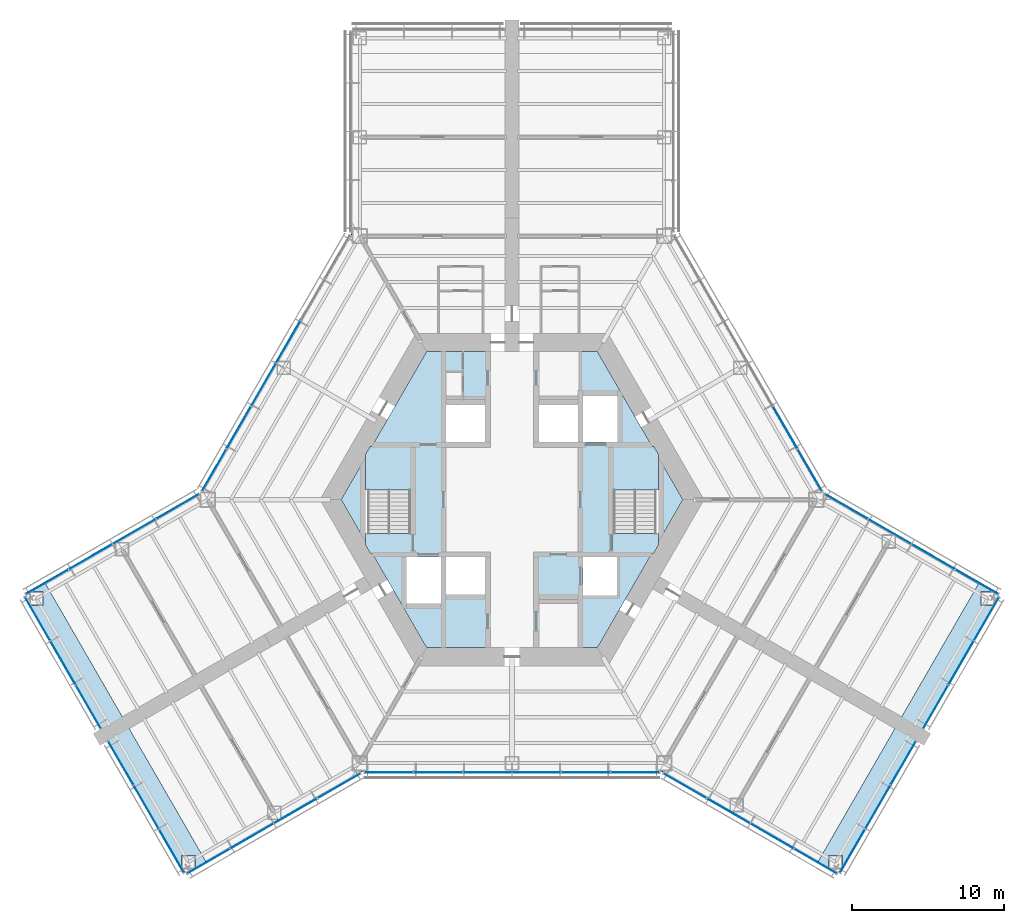
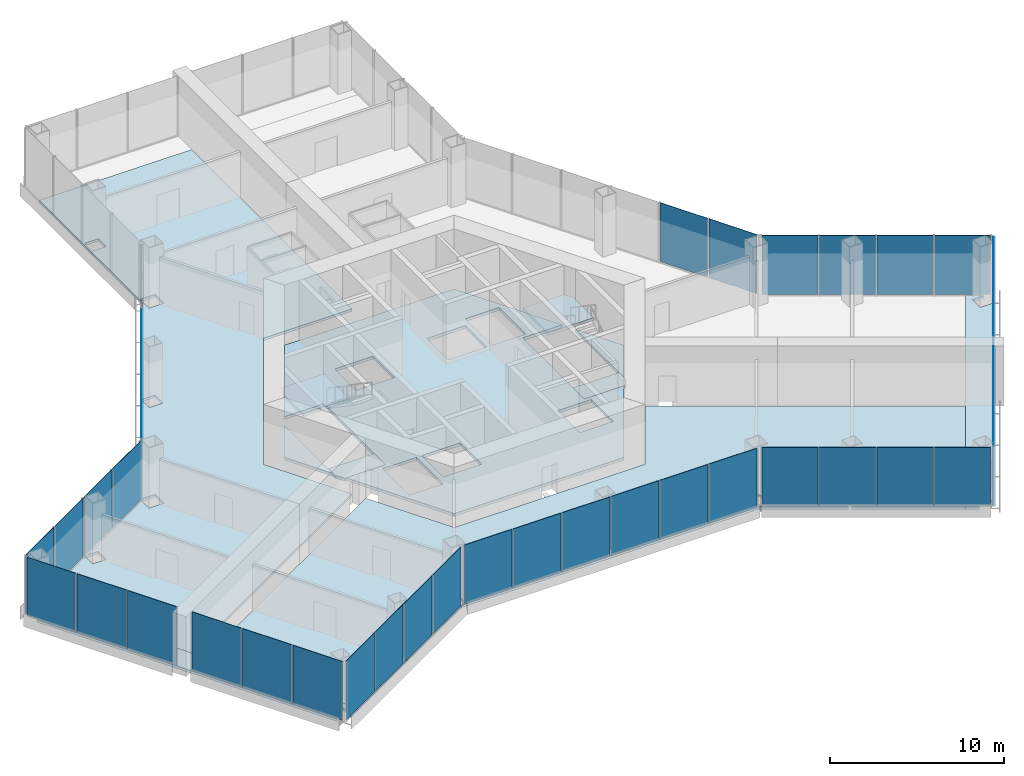
# One storey, part 9 of 15: 40 plates, 11 slabs, 13 elements without a shape of their own.
"""IFC4 building model written with IfcOpenShell, lengths in metres."""

from ifc_helpers import new_model, si_unit, direction, frame, origin, origin_2d, place, context, subcontext, project, spatial, polyline, rectangle, outline, extrude, material, layer, layer_set, type_object, element, aggregate, save


model = new_model("IFC4")

# Units and contexts
model_context = context("Model", 3, precision=1e-05, world=origin(), true_north=direction((0.0, 1.0)))
body_context = subcontext(model_context, "Body", "Model", "MODEL_VIEW")
ifc_project = project(units=[si_unit("LENGTHUNIT", "METRE"), si_unit("AREAUNIT", "SQUARE_METRE"), si_unit("VOLUMEUNIT", "CUBIC_METRE"), si_unit("PLANEANGLEUNIT", "RADIAN"), si_unit("MASSUNIT", "GRAM", prefix="KILO")], contexts=[model_context])

# Site, building, storey
site_placement = place(None, origin())
site = spatial("IfcSite", under=ifc_project, at=site_placement, CompositionType="ELEMENT")
building_placement = place(site_placement, origin())
building = spatial("IfcBuilding", under=site, at=building_placement, Name="Kasaneha Research Tower", CompositionType="ELEMENT")
storey_placement = place(building_placement, frame((0.0, 0.0, 31.0)))
storey = spatial("IfcBuildingStorey", under=building, at=storey_placement, Name="L08", CompositionType="ELEMENT", Elevation=31.0)

# Curtain wall, plates
ifc_material_1 = material(Name="Glass and aluminium", Category="aluminium")
curtain_wall_type = type_object("IfcCurtainWallType", Name="Dry laboratory curtain wall", PredefinedType="USERDEFINED", material=ifc_material_1)
curtain_wall_1_placement = place(storey_placement, origin())
curtain_wall_1 = element("IfcCurtainWall", 1, at=curtain_wall_1_placement, inside=storey, type_object=curtain_wall_type, Name="CW-L2 L08 run 01a", ObjectType="UNITISED CURTAIN WALL", PredefinedType="USERDEFINED")
ifc_material_2 = material(Name="Laminated double glazing", Category="glass")
ifc_layer_1 = layer(ifc_material_2, 0.028076171875)
ifc_layer_set_1 = layer_set([ifc_layer_1], Name="CW-L2 glazed panel")
plate_type = type_object("IfcPlateType", Name="CW-L2 glazed panel", PredefinedType="CURTAIN_PANEL", material=ifc_layer_set_1)
plate_1_placement = place(storey_placement, frame((-19.944091796875, -23.754638671875, 0.06494140625), z_axis=(0.0, 0.0, 1.0), x_axis=(0.866025411464, 0.499999986699, 0.0)))
plate_1 = element("IfcPlate", 2, at=plate_1_placement, type_object=plate_type, Name="CW-L2 panel 1", PredefinedType="CURTAIN_PANEL", context=body_context, shape_type="SweptSolid", body=[
    extrude(rectangle(XDim=3.21240234375, YDim=0.028076171875, at=origin_2d()), origin(), (0.0, 0.0, 1.0), 4.135009765625),
])
plate_2_placement = place(storey_placement, frame((-17.091796875, -22.107666015625, 0.06494140625), z_axis=(0.0, 0.0, 1.0), x_axis=(0.866025411464, 0.499999986699, 0.0)))
plate_2 = element("IfcPlate", 3, at=plate_2_placement, type_object=plate_type, Name="CW-L2 panel 2", PredefinedType="CURTAIN_PANEL", context=body_context, shape_type="SweptSolid", body=[
    extrude(rectangle(XDim=3.244873046875, YDim=0.028076171875, at=origin_2d()), origin(), (0.0, 0.0, 1.0), 4.135009765625),
])
plate_3_placement = place(storey_placement, frame((-14.225341796875, -20.452880859375, 0.06494140625), z_axis=(0.0, 0.0, 1.0), x_axis=(0.866025411464, 0.499999986699, 0.0)))
plate_3 = element("IfcPlate", 4, at=plate_3_placement, type_object=plate_type, Name="CW-L2 panel 3", PredefinedType="CURTAIN_PANEL", context=body_context, shape_type="SweptSolid", body=[
    extrude(rectangle(XDim=3.244873046875, YDim=0.028076171875, at=origin_2d()), origin(), (0.0, 0.0, 1.0), 4.135009765625),
])
plate_4_placement = place(storey_placement, frame((-11.373046875, -18.80615234375, 0.06494140625), z_axis=(0.0, 0.0, 1.0), x_axis=(0.866025411464, 0.499999986699, 0.0)))
plate_4 = element("IfcPlate", 5, at=plate_4_placement, type_object=plate_type, Name="CW-L2 panel 4", PredefinedType="CURTAIN_PANEL", context=body_context, shape_type="SweptSolid", body=[
    extrude(rectangle(XDim=3.21240234375, YDim=0.028076171875, at=origin_2d()), origin(), (0.0, 0.0, 1.0), 4.135009765625),
])
aggregate(curtain_wall_1, [plate_1, plate_2, plate_3, plate_4])

curtain_wall_2_placement = place(storey_placement, origin())
curtain_wall_2 = element("IfcCurtainWall", 6, at=curtain_wall_2_placement, inside=storey, type_object=curtain_wall_type, Name="CW-L2 L08 run 02a", ObjectType="UNITISED CURTAIN WALL", PredefinedType="USERDEFINED")
plate_5_placement = place(storey_placement, frame((-8.099853515625, -17.92041015625, 0.06494140625), z_axis=(0.0, 0.0, 1.0), x_axis=(1.0, 0.0, 0.0)))
plate_5 = element("IfcPlate", 7, at=plate_5_placement, type_object=plate_type, Name="CW-L2 panel 1", PredefinedType="CURTAIN_PANEL", context=body_context, shape_type="SweptSolid", body=[
    extrude(rectangle(XDim=3.14892578125, YDim=0.028076171875, at=origin_2d()), origin(), (0.0, 0.0, 1.0), 4.135009765625),
])
plate_6_placement = place(storey_placement, frame((-4.86962890625, -17.92041015625, 0.06494140625), z_axis=(0.0, 0.0, 1.0), x_axis=(1.0, 0.0, 0.0)))
plate_6 = element("IfcPlate", 8, at=plate_6_placement, type_object=plate_type, Name="CW-L2 panel 2", PredefinedType="CURTAIN_PANEL", context=body_context, shape_type="SweptSolid", body=[
    extrude(rectangle(XDim=3.181396484375, YDim=0.028076171875, at=origin_2d()), origin(), (0.0, 0.0, 1.0), 4.135009765625),
])
plate_7_placement = place(storey_placement, frame((-1.623291015625, -17.92041015625, 0.06494140625), z_axis=(0.0, 0.0, 1.0), x_axis=(1.0, 0.0, 0.0)))
plate_7 = element("IfcPlate", 9, at=plate_7_placement, type_object=plate_type, Name="CW-L2 panel 3", PredefinedType="CURTAIN_PANEL", context=body_context, shape_type="SweptSolid", body=[
    extrude(rectangle(XDim=3.181396484375, YDim=0.028076171875, at=origin_2d()), origin(), (0.0, 0.0, 1.0), 4.135009765625),
])
plate_8_placement = place(storey_placement, frame((1.623291015625, -17.92041015625, 0.06494140625), z_axis=(0.0, 0.0, 1.0), x_axis=(1.0, 0.0, 0.0)))
plate_8 = element("IfcPlate", 10, at=plate_8_placement, type_object=plate_type, Name="CW-L2 panel 4", PredefinedType="CURTAIN_PANEL", context=body_context, shape_type="SweptSolid", body=[
    extrude(rectangle(XDim=3.181396484375, YDim=0.028076171875, at=origin_2d()), origin(), (0.0, 0.0, 1.0), 4.135009765625),
])
plate_9_placement = place(storey_placement, frame((4.86962890625, -17.92041015625, 0.06494140625), z_axis=(0.0, 0.0, 1.0), x_axis=(1.0, 0.0, 0.0)))
plate_9 = element("IfcPlate", 11, at=plate_9_placement, type_object=plate_type, Name="CW-L2 panel 5", PredefinedType="CURTAIN_PANEL", context=body_context, shape_type="SweptSolid", body=[
    extrude(rectangle(XDim=3.181396484375, YDim=0.028076171875, at=origin_2d()), origin(), (0.0, 0.0, 1.0), 4.135009765625),
])
plate_10_placement = place(storey_placement, frame((8.099853515625, -17.92041015625, 0.06494140625), z_axis=(0.0, 0.0, 1.0), x_axis=(1.0, 0.0, 0.0)))
plate_10 = element("IfcPlate", 12, at=plate_10_placement, type_object=plate_type, Name="CW-L2 panel 6", PredefinedType="CURTAIN_PANEL", context=body_context, shape_type="SweptSolid", body=[
    extrude(rectangle(XDim=3.14892578125, YDim=0.028076171875, at=origin_2d()), origin(), (0.0, 0.0, 1.0), 4.135009765625),
])
aggregate(curtain_wall_2, [plate_5, plate_6, plate_7, plate_8, plate_9, plate_10])

curtain_wall_3_placement = place(storey_placement, origin())
curtain_wall_3 = element("IfcCurtainWall", 13, at=curtain_wall_3_placement, inside=storey, type_object=curtain_wall_type, Name="CW-L2 L08 run 03a", ObjectType="UNITISED CURTAIN WALL", PredefinedType="USERDEFINED")
plate_11_placement = place(storey_placement, frame((11.373046875, -18.80615234375, 0.06494140625), z_axis=(0.0, 0.0, 1.0), x_axis=(0.866025411464, -0.499999986699, 0.0)))
plate_11 = element("IfcPlate", 14, at=plate_11_placement, type_object=plate_type, Name="CW-L2 panel 1", PredefinedType="CURTAIN_PANEL", context=body_context, shape_type="SweptSolid", body=[
    extrude(rectangle(XDim=3.21240234375, YDim=0.028076171875, at=origin_2d()), origin(), (0.0, 0.0, 1.0), 4.135009765625),
])
plate_12_placement = place(storey_placement, frame((14.225341796875, -20.452880859375, 0.06494140625), z_axis=(0.0, 0.0, 1.0), x_axis=(0.866025411464, -0.499999986699, 0.0)))
plate_12 = element("IfcPlate", 15, at=plate_12_placement, type_object=plate_type, Name="CW-L2 panel 2", PredefinedType="CURTAIN_PANEL", context=body_context, shape_type="SweptSolid", body=[
    extrude(rectangle(XDim=3.244873046875, YDim=0.028076171875, at=origin_2d()), origin(), (0.0, 0.0, 1.0), 4.135009765625),
])
plate_13_placement = place(storey_placement, frame((17.091796875, -22.107666015625, 0.06494140625), z_axis=(0.0, 0.0, 1.0), x_axis=(0.866025411464, -0.499999986699, 0.0)))
plate_13 = element("IfcPlate", 16, at=plate_13_placement, type_object=plate_type, Name="CW-L2 panel 3", PredefinedType="CURTAIN_PANEL", context=body_context, shape_type="SweptSolid", body=[
    extrude(rectangle(XDim=3.244873046875, YDim=0.028076171875, at=origin_2d()), origin(), (0.0, 0.0, 1.0), 4.135009765625),
])
plate_14_placement = place(storey_placement, frame((19.944091796875, -23.754638671875, 0.06494140625), z_axis=(0.0, 0.0, 1.0), x_axis=(0.866025411464, -0.499999986699, 0.0)))
plate_14 = element("IfcPlate", 17, at=plate_14_placement, type_object=plate_type, Name="CW-L2 panel 4", PredefinedType="CURTAIN_PANEL", context=body_context, shape_type="SweptSolid", body=[
    extrude(rectangle(XDim=3.21240234375, YDim=0.028076171875, at=origin_2d()), origin(), (0.0, 0.0, 1.0), 4.135009765625),
])
aggregate(curtain_wall_3, [plate_11, plate_12, plate_13, plate_14])

curtain_wall_4_placement = place(storey_placement, origin())
curtain_wall_4 = element("IfcCurtainWall", 18, at=curtain_wall_4_placement, inside=storey, type_object=curtain_wall_type, Name="CW-L2 L08 run 04a", ObjectType="UNITISED CURTAIN WALL", PredefinedType="USERDEFINED")
plate_15_placement = place(storey_placement, frame((22.37353515625, -23.0888671875, 0.06494140625), z_axis=(0.0, 0.0, 1.0), x_axis=(0.500000011442, 0.866025397178, 0.0)))
plate_15 = element("IfcPlate", 19, at=plate_15_placement, type_object=plate_type, Name="CW-L2 panel 1", PredefinedType="CURTAIN_PANEL", context=body_context, shape_type="SweptSolid", body=[
    extrude(rectangle(XDim=3.25244140625, YDim=0.028076171875, at=origin_2d()), origin(), (0.0, 0.0, 1.0), 4.135009765625),
])
plate_16_placement = place(storey_placement, frame((24.04052734375, -20.20166015625, 0.06494140625), z_axis=(0.0, 0.0, 1.0), x_axis=(0.500000011442, 0.866025397178, 0.0)))
plate_16 = element("IfcPlate", 20, at=plate_16_placement, type_object=plate_type, Name="CW-L2 panel 2", PredefinedType="CURTAIN_PANEL", context=body_context, shape_type="SweptSolid", body=[
    extrude(rectangle(XDim=3.284912109375, YDim=0.028076171875, at=origin_2d()), origin(), (0.0, 0.0, 1.0), 4.135009765625),
])
plate_17_placement = place(storey_placement, frame((25.707275390625, -17.314697265625, 0.06494140625), z_axis=(0.0, 0.0, 1.0), x_axis=(0.500000011442, 0.866025397178, 0.0)))
plate_17 = element("IfcPlate", 21, at=plate_17_placement, type_object=plate_type, Name="CW-L2 panel 3", PredefinedType="CURTAIN_PANEL", context=body_context, shape_type="SweptSolid", body=[
    extrude(rectangle(XDim=3.25244140625, YDim=0.028076171875, at=origin_2d()), origin(), (0.0, 0.0, 1.0), 4.135009765625),
])
aggregate(curtain_wall_4, [plate_15, plate_16, plate_17])

curtain_wall_5_placement = place(storey_placement, origin())
curtain_wall_5 = element("IfcCurtainWall", 22, at=curtain_wall_5_placement, inside=storey, type_object=curtain_wall_type, Name="CW-L2 L08 run 05a", ObjectType="UNITISED CURTAIN WALL", PredefinedType="USERDEFINED")
plate_18_placement = place(storey_placement, frame((27.8486328125, -13.60595703125, 0.06494140625), z_axis=(0.0, 0.0, 1.0), x_axis=(0.500000011442, 0.866025397178, 0.0)))
plate_18 = element("IfcPlate", 23, at=plate_18_placement, type_object=plate_type, Name="CW-L2 panel 1", PredefinedType="CURTAIN_PANEL", context=body_context, shape_type="SweptSolid", body=[
    extrude(rectangle(XDim=3.25244140625, YDim=0.028076171875, at=origin_2d()), origin(), (0.0, 0.0, 1.0), 4.135009765625),
])
plate_19_placement = place(storey_placement, frame((29.515380859375, -10.71875, 0.06494140625), z_axis=(0.0, 0.0, 1.0), x_axis=(0.500000011442, 0.866025397178, 0.0)))
plate_19 = element("IfcPlate", 24, at=plate_19_placement, type_object=plate_type, Name="CW-L2 panel 2", PredefinedType="CURTAIN_PANEL", context=body_context, shape_type="SweptSolid", body=[
    extrude(rectangle(XDim=3.284912109375, YDim=0.028076171875, at=origin_2d()), origin(), (0.0, 0.0, 1.0), 4.135009765625),
])
plate_20_placement = place(storey_placement, frame((31.182373046875, -7.83154296875, 0.06494140625), z_axis=(0.0, 0.0, 1.0), x_axis=(0.500000011442, 0.866025397178, 0.0)))
plate_20 = element("IfcPlate", 25, at=plate_20_placement, type_object=plate_type, Name="CW-L2 panel 3", PredefinedType="CURTAIN_PANEL", context=body_context, shape_type="SweptSolid", body=[
    extrude(rectangle(XDim=3.25244140625, YDim=0.028076171875, at=origin_2d()), origin(), (0.0, 0.0, 1.0), 4.135009765625),
])
aggregate(curtain_wall_5, [plate_18, plate_19, plate_20])

curtain_wall_6_placement = place(storey_placement, origin())
curtain_wall_6 = element("IfcCurtainWall", 26, at=curtain_wall_6_placement, inside=storey, type_object=curtain_wall_type, Name="CW-L2 L08 run 06a", ObjectType="UNITISED CURTAIN WALL", PredefinedType="USERDEFINED")
plate_21_placement = place(storey_placement, frame((30.544189453125, -5.394775390625, 0.06494140625), z_axis=(0.0, 0.0, 1.0), x_axis=(-0.866025411464, 0.499999986699, 0.0)))
plate_21 = element("IfcPlate", 27, at=plate_21_placement, type_object=plate_type, Name="CW-L2 panel 1", PredefinedType="CURTAIN_PANEL", context=body_context, shape_type="SweptSolid", body=[
    extrude(rectangle(XDim=3.21240234375, YDim=0.028076171875, at=origin_2d()), origin(), (0.0, 0.0, 1.0), 4.135009765625),
])
plate_22_placement = place(storey_placement, frame((27.69189453125, -3.748046875, 0.06494140625), z_axis=(0.0, 0.0, 1.0), x_axis=(-0.866025411464, 0.499999986699, 0.0)))
plate_22 = element("IfcPlate", 28, at=plate_22_placement, type_object=plate_type, Name="CW-L2 panel 2", PredefinedType="CURTAIN_PANEL", context=body_context, shape_type="SweptSolid", body=[
    extrude(rectangle(XDim=3.244873046875, YDim=0.028076171875, at=origin_2d()), origin(), (0.0, 0.0, 1.0), 4.135009765625),
])
plate_23_placement = place(storey_placement, frame((24.825439453125, -2.093017578125, 0.06494140625), z_axis=(0.0, 0.0, 1.0), x_axis=(-0.866025411464, 0.499999986699, 0.0)))
plate_23 = element("IfcPlate", 29, at=plate_23_placement, type_object=plate_type, Name="CW-L2 panel 3", PredefinedType="CURTAIN_PANEL", context=body_context, shape_type="SweptSolid", body=[
    extrude(rectangle(XDim=3.244873046875, YDim=0.028076171875, at=origin_2d()), origin(), (0.0, 0.0, 1.0), 4.135009765625),
])
plate_24_placement = place(storey_placement, frame((21.97314453125, -0.4462890625, 0.06494140625), z_axis=(0.0, 0.0, 1.0), x_axis=(-0.866025411464, 0.499999986699, 0.0)))
plate_24 = element("IfcPlate", 30, at=plate_24_placement, type_object=plate_type, Name="CW-L2 panel 4", PredefinedType="CURTAIN_PANEL", context=body_context, shape_type="SweptSolid", body=[
    extrude(rectangle(XDim=3.21240234375, YDim=0.028076171875, at=origin_2d()), origin(), (0.0, 0.0, 1.0), 4.135009765625),
])
aggregate(curtain_wall_6, [plate_21, plate_22, plate_23, plate_24])

curtain_wall_7_placement = place(storey_placement, origin())
curtain_wall_7 = element("IfcCurtainWall", 31, at=curtain_wall_7_placement, inside=storey, type_object=curtain_wall_type, Name="CW-L2 L08 run 07a", ObjectType="UNITISED CURTAIN WALL", PredefinedType="USERDEFINED")
plate_25_placement = place(storey_placement, frame((19.569580078125, 1.945556640625, 0.06494140625), z_axis=(0.0, 0.0, 1.0), x_axis=(-0.49999996188, 0.866025425793, 0.0)))
plate_25 = element("IfcPlate", 32, at=plate_25_placement, type_object=plate_type, Name="CW-L2 panel 1", PredefinedType="CURTAIN_PANEL", context=body_context, shape_type="SweptSolid", body=[
    extrude(rectangle(XDim=3.14892578125, YDim=0.028076171875, at=origin_2d()), origin(), (0.0, 0.0, 1.0), 4.135009765625),
])
plate_26_placement = place(storey_placement, frame((17.954345703125, 4.7431640625, 0.06494140625), z_axis=(0.0, 0.0, 1.0), x_axis=(-0.49999996188, 0.866025425793, 0.0)))
plate_26 = element("IfcPlate", 33, at=plate_26_placement, type_object=plate_type, Name="CW-L2 panel 2", PredefinedType="CURTAIN_PANEL", context=body_context, shape_type="SweptSolid", body=[
    extrude(rectangle(XDim=3.181396484375, YDim=0.028076171875, at=origin_2d()), origin(), (0.0, 0.0, 1.0), 4.135009765625),
])
aggregate(curtain_wall_7, [plate_25, plate_26])

curtain_wall_8_placement = place(storey_placement, origin())
curtain_wall_8 = element("IfcCurtainWall", 34, at=curtain_wall_8_placement, inside=storey, type_object=curtain_wall_type, Name="CW-L2 L08 run 12a", ObjectType="UNITISED CURTAIN WALL", PredefinedType="USERDEFINED")
plate_27_placement = place(storey_placement, frame((-14.7080078125, 10.365966796875, 0.06494140625), z_axis=(0.0, 0.0, 1.0), x_axis=(-0.49999996188, -0.866025425793, 0.0)))
plate_27 = element("IfcPlate", 35, at=plate_27_placement, type_object=plate_type, Name="CW-L2 panel 3", PredefinedType="CURTAIN_PANEL", context=body_context, shape_type="SweptSolid", body=[
    extrude(rectangle(XDim=3.181396484375, YDim=0.028076171875, at=origin_2d()), origin(), (0.0, 0.0, 1.0), 4.135009765625),
])
plate_28_placement = place(storey_placement, frame((-16.331298828125, 7.554443359375, 0.06494140625), z_axis=(0.0, 0.0, 1.0), x_axis=(-0.49999996188, -0.866025425793, 0.0)))
plate_28 = element("IfcPlate", 36, at=plate_28_placement, type_object=plate_type, Name="CW-L2 panel 4", PredefinedType="CURTAIN_PANEL", context=body_context, shape_type="SweptSolid", body=[
    extrude(rectangle(XDim=3.181396484375, YDim=0.028076171875, at=origin_2d()), origin(), (0.0, 0.0, 1.0), 4.135009765625),
])
plate_29_placement = place(storey_placement, frame((-17.954345703125, 4.7431640625, 0.06494140625), z_axis=(0.0, 0.0, 1.0), x_axis=(-0.49999996188, -0.866025425793, 0.0)))
plate_29 = element("IfcPlate", 37, at=plate_29_placement, type_object=plate_type, Name="CW-L2 panel 5", PredefinedType="CURTAIN_PANEL", context=body_context, shape_type="SweptSolid", body=[
    extrude(rectangle(XDim=3.181396484375, YDim=0.028076171875, at=origin_2d()), origin(), (0.0, 0.0, 1.0), 4.135009765625),
])
plate_30_placement = place(storey_placement, frame((-19.569580078125, 1.945556640625, 0.06494140625), z_axis=(0.0, 0.0, 1.0), x_axis=(-0.49999996188, -0.866025425793, 0.0)))
plate_30 = element("IfcPlate", 38, at=plate_30_placement, type_object=plate_type, Name="CW-L2 panel 6", PredefinedType="CURTAIN_PANEL", context=body_context, shape_type="SweptSolid", body=[
    extrude(rectangle(XDim=3.14892578125, YDim=0.028076171875, at=origin_2d()), origin(), (0.0, 0.0, 1.0), 4.135009765625),
])
aggregate(curtain_wall_8, [plate_27, plate_28, plate_29, plate_30])

curtain_wall_9_placement = place(storey_placement, origin())
curtain_wall_9 = element("IfcCurtainWall", 39, at=curtain_wall_9_placement, inside=storey, type_object=curtain_wall_type, Name="CW-L2 L08 run 13a", ObjectType="UNITISED CURTAIN WALL", PredefinedType="USERDEFINED")
plate_31_placement = place(storey_placement, frame((-21.97314453125, -0.4462890625, 0.06494140625), z_axis=(0.0, 0.0, 1.0), x_axis=(-0.866025411464, -0.499999986699, 0.0)))
plate_31 = element("IfcPlate", 40, at=plate_31_placement, type_object=plate_type, Name="CW-L2 panel 1", PredefinedType="CURTAIN_PANEL", context=body_context, shape_type="SweptSolid", body=[
    extrude(rectangle(XDim=3.21240234375, YDim=0.028076171875, at=origin_2d()), origin(), (0.0, 0.0, 1.0), 4.135009765625),
])
plate_32_placement = place(storey_placement, frame((-24.825439453125, -2.093017578125, 0.06494140625), z_axis=(0.0, 0.0, 1.0), x_axis=(-0.866025411464, -0.499999986699, 0.0)))
plate_32 = element("IfcPlate", 41, at=plate_32_placement, type_object=plate_type, Name="CW-L2 panel 2", PredefinedType="CURTAIN_PANEL", context=body_context, shape_type="SweptSolid", body=[
    extrude(rectangle(XDim=3.244873046875, YDim=0.028076171875, at=origin_2d()), origin(), (0.0, 0.0, 1.0), 4.135009765625),
])
plate_33_placement = place(storey_placement, frame((-27.69189453125, -3.748046875, 0.06494140625), z_axis=(0.0, 0.0, 1.0), x_axis=(-0.866025411464, -0.499999986699, 0.0)))
plate_33 = element("IfcPlate", 42, at=plate_33_placement, type_object=plate_type, Name="CW-L2 panel 3", PredefinedType="CURTAIN_PANEL", context=body_context, shape_type="SweptSolid", body=[
    extrude(rectangle(XDim=3.244873046875, YDim=0.028076171875, at=origin_2d()), origin(), (0.0, 0.0, 1.0), 4.135009765625),
])
plate_34_placement = place(storey_placement, frame((-30.544189453125, -5.394775390625, 0.06494140625), z_axis=(0.0, 0.0, 1.0), x_axis=(-0.866025411464, -0.499999986699, 0.0)))
plate_34 = element("IfcPlate", 43, at=plate_34_placement, type_object=plate_type, Name="CW-L2 panel 4", PredefinedType="CURTAIN_PANEL", context=body_context, shape_type="SweptSolid", body=[
    extrude(rectangle(XDim=3.21240234375, YDim=0.028076171875, at=origin_2d()), origin(), (0.0, 0.0, 1.0), 4.135009765625),
])
aggregate(curtain_wall_9, [plate_31, plate_32, plate_33, plate_34])

curtain_wall_10_placement = place(storey_placement, origin())
curtain_wall_10 = element("IfcCurtainWall", 44, at=curtain_wall_10_placement, inside=storey, type_object=curtain_wall_type, Name="CW-L2 L08 run 14a", ObjectType="UNITISED CURTAIN WALL", PredefinedType="USERDEFINED")
plate_35_placement = place(storey_placement, frame((-31.182373046875, -7.83154296875, 0.06494140625), z_axis=(0.0, 0.0, 1.0), x_axis=(0.500000011442, -0.866025397178, 0.0)))
plate_35 = element("IfcPlate", 45, at=plate_35_placement, type_object=plate_type, Name="CW-L2 panel 1", PredefinedType="CURTAIN_PANEL", context=body_context, shape_type="SweptSolid", body=[
    extrude(rectangle(XDim=3.25244140625, YDim=0.028076171875, at=origin_2d()), origin(), (0.0, 0.0, 1.0), 4.135009765625),
])
plate_36_placement = place(storey_placement, frame((-29.515380859375, -10.71875, 0.06494140625), z_axis=(0.0, 0.0, 1.0), x_axis=(0.500000011442, -0.866025397178, 0.0)))
plate_36 = element("IfcPlate", 46, at=plate_36_placement, type_object=plate_type, Name="CW-L2 panel 2", PredefinedType="CURTAIN_PANEL", context=body_context, shape_type="SweptSolid", body=[
    extrude(rectangle(XDim=3.284912109375, YDim=0.028076171875, at=origin_2d()), origin(), (0.0, 0.0, 1.0), 4.135009765625),
])
plate_37_placement = place(storey_placement, frame((-27.8486328125, -13.60595703125, 0.06494140625), z_axis=(0.0, 0.0, 1.0), x_axis=(0.500000011442, -0.866025397178, 0.0)))
plate_37 = element("IfcPlate", 47, at=plate_37_placement, type_object=plate_type, Name="CW-L2 panel 3", PredefinedType="CURTAIN_PANEL", context=body_context, shape_type="SweptSolid", body=[
    extrude(rectangle(XDim=3.25244140625, YDim=0.028076171875, at=origin_2d()), origin(), (0.0, 0.0, 1.0), 4.135009765625),
])
aggregate(curtain_wall_10, [plate_35, plate_36, plate_37])

curtain_wall_11_placement = place(storey_placement, origin())
curtain_wall_11 = element("IfcCurtainWall", 48, at=curtain_wall_11_placement, inside=storey, type_object=curtain_wall_type, Name="CW-L2 L08 run 15a", ObjectType="UNITISED CURTAIN WALL", PredefinedType="USERDEFINED")
plate_38_placement = place(storey_placement, frame((-25.707275390625, -17.314697265625, 0.06494140625), z_axis=(0.0, 0.0, 1.0), x_axis=(0.500000011442, -0.866025397178, 0.0)))
plate_38 = element("IfcPlate", 49, at=plate_38_placement, type_object=plate_type, Name="CW-L2 panel 1", PredefinedType="CURTAIN_PANEL", context=body_context, shape_type="SweptSolid", body=[
    extrude(rectangle(XDim=3.25244140625, YDim=0.028076171875, at=origin_2d()), origin(), (0.0, 0.0, 1.0), 4.135009765625),
])
plate_39_placement = place(storey_placement, frame((-24.04052734375, -20.20166015625, 0.06494140625), z_axis=(0.0, 0.0, 1.0), x_axis=(0.500000011442, -0.866025397178, 0.0)))
plate_39 = element("IfcPlate", 50, at=plate_39_placement, type_object=plate_type, Name="CW-L2 panel 2", PredefinedType="CURTAIN_PANEL", context=body_context, shape_type="SweptSolid", body=[
    extrude(rectangle(XDim=3.284912109375, YDim=0.028076171875, at=origin_2d()), origin(), (0.0, 0.0, 1.0), 4.135009765625),
])
plate_40_placement = place(storey_placement, frame((-22.37353515625, -23.0888671875, 0.06494140625), z_axis=(0.0, 0.0, 1.0), x_axis=(0.500000011442, -0.866025397178, 0.0)))
plate_40 = element("IfcPlate", 51, at=plate_40_placement, type_object=plate_type, Name="CW-L2 panel 3", PredefinedType="CURTAIN_PANEL", context=body_context, shape_type="SweptSolid", body=[
    extrude(rectangle(XDim=3.25244140625, YDim=0.028076171875, at=origin_2d()), origin(), (0.0, 0.0, 1.0), 4.135009765625),
])
aggregate(curtain_wall_11, [plate_38, plate_39, plate_40])

# Slabs
ifc_material_3 = material(Name="Concrete Fc24", Category="concrete")
ifc_layer_2 = layer(ifc_material_3, 0.199951171875)
ifc_layer_set_2 = layer_set([ifc_layer_2], Name="Core floor slab 200")
slab_type_1 = type_object("IfcSlabType", Name="Core floor slab 200", PredefinedType="FLOOR", material=ifc_layer_set_2)
slab_1_placement = place(storey_placement, frame((0.0, 0.0, -0.199951171875)))
element("IfcSlab", 52, at=slab_1_placement, inside=storey, type_object=slab_type_1, Name="Core slab L08", PredefinedType="FLOOR", context=body_context, shape_type="SweptSolid", body=[
    extrude(outline(polyline([(-11.2294921875, 0.0), (-9.625, 2.779052734375), (-9.625, -2.779052734375), (-11.2294921875, 0.0)])), origin(), (0.0, 0.0, 1.0), 0.199951171875),
])
slab_2_placement = place(storey_placement, frame((0.0, 0.0, -0.199951171875)))
element("IfcSlab", 53, at=slab_2_placement, inside=storey, type_object=slab_type_1, Name="Core slab L08", PredefinedType="FLOOR", context=body_context, shape_type="SweptSolid", body=[
    extrude(outline(polyline([(-5.61474609375, 9.72509765625), (5.61474609375, 9.72509765625), (9.1943359375, 3.52490234375), (6.574951171875, 3.52490234375), (6.574951171875, -3.52490234375), (9.1943359375, -3.52490234375), (5.61474609375, -9.72509765625), (-5.61474609375, -9.72509765625), (-9.1943359375, -3.52490234375), (-6.574951171875, -3.52490234375), (-6.574951171875, 3.52490234375), (-9.1943359375, 3.52490234375), (-5.61474609375, 9.72509765625)]), holes=[polyline([(-6.925048828125, -3.77490234375), (-6.925048828125, -6.824951171875), (-4.675048828125, -6.824951171875), (-4.675048828125, -3.77490234375), (-6.925048828125, -3.77490234375)]), polyline([(4.675048828125, -3.77490234375), (4.675048828125, -6.300048828125), (6.89990234375, -6.300048828125), (6.89990234375, -3.77490234375), (4.675048828125, -3.77490234375)]), polyline([(-4.324951171875, -3.77490234375), (-4.324951171875, -6.22509765625), (-1.77490234375, -6.22509765625), (-1.77490234375, -3.77490234375), (-4.324951171875, -3.77490234375)]), polyline([(-4.324951171875, 6.22509765625), (-4.324951171875, 3.77490234375), (-1.77490234375, 3.77490234375), (-1.77490234375, 6.22509765625), (-4.324951171875, 6.22509765625)]), polyline([(1.77490234375, 6.22509765625), (1.77490234375, 3.77490234375), (4.324951171875, 3.77490234375), (4.324951171875, 6.22509765625), (1.77490234375, 6.22509765625)]), polyline([(4.675048828125, 6.824951171875), (4.675048828125, 3.77490234375), (6.925048828125, 3.77490234375), (6.925048828125, 6.824951171875), (4.675048828125, 6.824951171875)])]), origin(), (0.0, 0.0, 1.0), 0.199951171875),
])
slab_3_placement = place(storey_placement, frame((0.0, 0.0, -0.199951171875)))
element("IfcSlab", 54, at=slab_3_placement, inside=storey, type_object=slab_type_1, Name="Core slab L08", PredefinedType="FLOOR", context=body_context, shape_type="SweptSolid", body=[
    extrude(outline(polyline([(11.2294921875, 0.0), (9.625, -2.779052734375), (9.625, 2.779052734375), (11.2294921875, 0.0)])), origin(), (0.0, 0.0, 1.0), 0.199951171875),
])
ifc_material_4 = material(Name="Concrete Fc24", Category="concrete")
ifc_layer_3 = layer(ifc_material_4, 0.169921875)
ifc_layer_set_3 = layer_set([ifc_layer_3], Name="Floor slab 170")
slab_type_2 = type_object("IfcSlabType", Name="Floor slab 170", PredefinedType="FLOOR", material=ifc_layer_set_3)
slab_4_placement = place(storey_placement, frame((0.0, 0.0, -0.169921875)))
element("IfcSlab", 55, at=slab_4_placement, inside=storey, type_object=slab_type_2, Name="Floor slab L08 1", PredefinedType="FLOOR", context=body_context, shape_type="SweptSolid", body=[
    extrude(outline(polyline([(-25.167236328125, -15.050048828125), (-25.15869140625, -15.044921875), (-20.108642578125, -23.791748046875), (-20.808349609375, -24.19580078125), (-20.808349609375, -23.37060546875), (-21.708251953125, -23.37060546875), (-21.708251953125, -24.14111328125), (-31.633544921875, -6.949951171875), (-30.808349609375, -6.949951171875), (-30.808349609375, -6.050048828125), (-31.578857421875, -6.050048828125), (-30.65869140625, -5.518798828125), (-25.608642578125, -14.265625), (-25.6171875, -14.2705078125), (-25.167236328125, -15.050048828125)])), origin(), (0.0, 0.0, 1.0), 0.169921875),
])
slab_5_placement = place(storey_placement, frame((0.0, 0.0, -0.169921875)))
element("IfcSlab", 56, at=slab_5_placement, inside=storey, type_object=slab_type_2, Name="Floor slab L08 2", PredefinedType="FLOOR", context=body_context, shape_type="SweptSolid", body=[
    extrude(outline(polyline([(-25.17919921875, -2.800048828125), (-25.94970703125, -2.800048828125), (-20.5, 0.346435546875), (-20.5, -0.5), (-19.5, -0.5), (-19.5, 0.5), (-20.346435546875, 0.5), (-15.449951171875, 8.980712890625), (-15.449951171875, 8.210205078125), (-14.550048828125, 8.210205078125), (-14.550048828125, 9.1103515625), (-15.375244140625, 9.1103515625), (-10.550048828125, 17.4677734375), (-10.550048828125, 29.310546875), (-0.449951171875, 29.310546875), (-0.449951171875, 10.925048828125), (-6.3076171875, 10.925048828125), (-12.614990234375, 0.0), (-9.686279296875, -5.07275390625), (-25.608642578125, -14.265625), (-30.65869140625, -5.518798828125), (-26.0791015625, -2.874755859375), (-26.0791015625, -3.699951171875), (-25.17919921875, -3.699951171875), (-25.17919921875, -2.800048828125)]), holes=[polyline([(-9.5, 16.820556640625), (-9.5, 17.820556640625), (-10.5, 17.820556640625), (-10.5, 16.820556640625), (-9.5, 16.820556640625)]), polyline([(-10.449951171875, 23.37060546875), (-9.550048828125, 23.37060546875), (-9.550048828125, 24.2705078125), (-10.449951171875, 24.2705078125), (-10.449951171875, 23.37060546875)])]), origin(), (0.0, 0.0, 1.0), 0.169921875),
])
slab_6_placement = place(storey_placement, frame((0.0, 0.0, -0.169921875)))
element("IfcSlab", 57, at=slab_6_placement, inside=storey, type_object=slab_type_2, Name="Floor slab L08 4", PredefinedType="FLOOR", context=body_context, shape_type="SweptSolid", body=[
    extrude(outline(polyline([(-6.3076171875, -10.925048828125), (6.3076171875, -10.925048828125), (9.236328125, -5.852294921875), (25.15869140625, -15.044921875), (20.108642578125, -23.791748046875), (14.442626953125, -20.5205078125), (15.213134765625, -20.5205078125), (15.213134765625, -19.62060546875), (14.313232421875, -19.62060546875), (14.313232421875, -20.44580078125), (9.8525390625, -17.87060546875), (-9.8525390625, -17.87060546875), (-15.17919921875, -20.94580078125), (-15.17919921875, -20.12060546875), (-16.0791015625, -20.12060546875), (-16.0791015625, -21.0205078125), (-15.30859375, -21.0205078125), (-20.108642578125, -23.791748046875), (-25.15869140625, -15.044921875), (-9.236328125, -5.852294921875), (-6.3076171875, -10.925048828125)]), holes=[polyline([(-0.449951171875, -17.7705078125), (0.449951171875, -17.7705078125), (0.449951171875, -16.87060546875), (-0.449951171875, -16.87060546875), (-0.449951171875, -17.7705078125)]), polyline([(-9.5, -17.820556640625), (-9.5, -16.820556640625), (-10.5, -16.820556640625), (-10.5, -17.820556640625), (-9.5, -17.820556640625)]), polyline([(10.5, -17.820556640625), (10.5, -16.820556640625), (9.5, -16.820556640625), (9.5, -17.820556640625), (10.5, -17.820556640625)])]), origin(), (0.0, 0.0, 1.0), 0.169921875),
])
slab_7_placement = place(storey_placement, frame((0.0, 0.0, -0.169921875)))
element("IfcSlab", 58, at=slab_7_placement, inside=storey, type_object=slab_type_2, Name="Floor slab L08 6", PredefinedType="FLOOR", context=body_context, shape_type="SweptSolid", body=[
    extrude(outline(polyline([(25.167236328125, -15.050048828125), (25.6171875, -14.2705078125), (25.608642578125, -14.265625), (30.65869140625, -5.518798828125), (31.578857421875, -6.050048828125), (30.808349609375, -6.050048828125), (30.808349609375, -6.949951171875), (31.633544921875, -6.949951171875), (21.708251953125, -24.14111328125), (21.708251953125, -23.37060546875), (20.808349609375, -23.37060546875), (20.808349609375, -24.19580078125), (20.108642578125, -23.791748046875), (25.15869140625, -15.044921875), (25.167236328125, -15.050048828125)])), origin(), (0.0, 0.0, 1.0), 0.169921875),
])

# Stair, slabs
ifc_material_5 = material(Name="Concrete Fc24", Category="concrete")
stair_type = type_object("IfcStairType", Name="Half-turn stair 24 risers", PredefinedType="HALF_TURN_STAIR", material=ifc_material_5)
stair_1_placement = place(storey_placement, origin())
stair_1 = element("IfcStair", 59, at=stair_1_placement, inside=storey, type_object=stair_type, Name="Stair 1 L08", PredefinedType="HALF_TURN_STAIR")
ifc_material_6 = material(Name="Concrete Fc24", Category="concrete")
ifc_layer_4 = layer(ifc_material_6, 0.199951171875)
ifc_layer_set_4 = layer_set([ifc_layer_4], Name="Stair 1 landing 200")
slab_type_3 = type_object("IfcSlabType", Name="Stair 1 landing 200", PredefinedType="LANDING", material=ifc_layer_set_4)
slab_8_placement = place(storey_placement, frame((0.0, 0.0, -0.199951171875)))
slab_8 = element("IfcSlab", 60, at=slab_8_placement, type_object=slab_type_3, Name="ST1-24R landing 1", PredefinedType="LANDING", context=body_context, shape_type="SweptSolid", body=[
    extrude(outline(polyline([(9.309814453125, -3.52490234375), (6.574951171875, -3.52490234375), (6.574951171875, -2.22509765625), (9.625, -2.22509765625), (9.625, -2.97900390625), (9.309814453125, -3.52490234375)])), origin(), (0.0, 0.0, 1.0), 0.199951171875),
])
slab_9_placement = place(storey_placement, frame((0.0, 0.0, 1.89990234375)))
slab_9 = element("IfcSlab", 61, at=slab_9_placement, type_object=slab_type_3, Name="ST1-24R landing 2", PredefinedType="LANDING", context=body_context, shape_type="SweptSolid", body=[
    extrude(outline(polyline([(6.574951171875, 3.52490234375), (9.309814453125, 3.52490234375), (9.625, 2.97900390625), (9.625, 0.635009765625), (6.574951171875, 0.635009765625), (6.574951171875, 3.52490234375)])), origin(), (0.0, 0.0, 1.0), 0.2001953125),
])
aggregate(stair_1, [slab_8, slab_9])

stair_2_placement = place(storey_placement, origin())
stair_2 = element("IfcStair", 62, at=stair_2_placement, inside=storey, type_object=stair_type, Name="Stair 2 L08", PredefinedType="HALF_TURN_STAIR")
ifc_material_7 = material(Name="Concrete Fc24", Category="concrete")
ifc_layer_5 = layer(ifc_material_7, 0.199951171875)
ifc_layer_set_5 = layer_set([ifc_layer_5], Name="Stair 2 landing 200")
slab_type_4 = type_object("IfcSlabType", Name="Stair 2 landing 200", PredefinedType="LANDING", material=ifc_layer_set_5)
slab_10_placement = place(storey_placement, frame((0.0, 0.0, -0.199951171875)))
slab_10 = element("IfcSlab", 63, at=slab_10_placement, type_object=slab_type_4, Name="ST2-24R landing 1", PredefinedType="LANDING", context=body_context, shape_type="SweptSolid", body=[
    extrude(outline(polyline([(-6.574951171875, -3.52490234375), (-9.309814453125, -3.52490234375), (-9.625, -2.97900390625), (-9.625, -2.22509765625), (-6.574951171875, -2.22509765625), (-6.574951171875, -3.52490234375)])), origin(), (0.0, 0.0, 1.0), 0.199951171875),
])
slab_11_placement = place(storey_placement, frame((0.0, 0.0, 1.89990234375)))
slab_11 = element("IfcSlab", 64, at=slab_11_placement, type_object=slab_type_4, Name="ST2-24R landing 2", PredefinedType="LANDING", context=body_context, shape_type="SweptSolid", body=[
    extrude(outline(polyline([(-6.574951171875, 0.635009765625), (-9.625, 0.635009765625), (-9.625, 2.97900390625), (-9.309814453125, 3.52490234375), (-6.574951171875, 3.52490234375), (-6.574951171875, 0.635009765625)])), origin(), (0.0, 0.0, 1.0), 0.2001953125),
])
aggregate(stair_2, [slab_10, slab_11])

save(model, "model.ifc")
